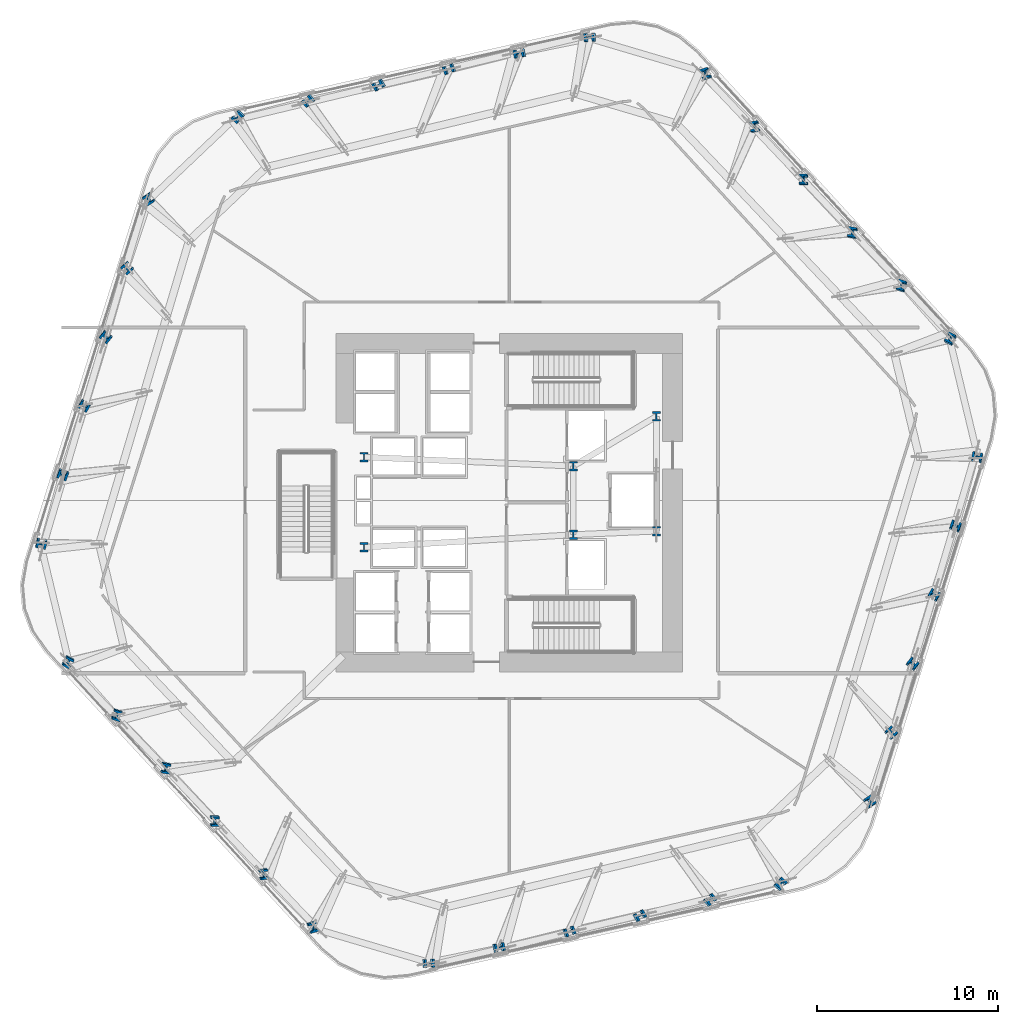
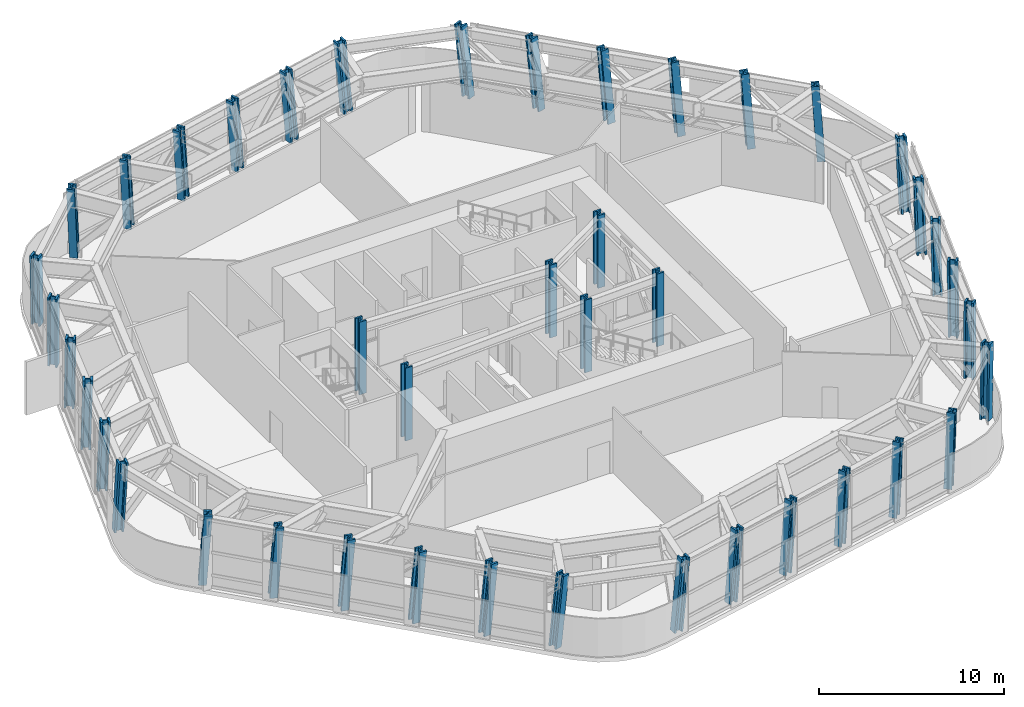
# One storey, part 1 of 16: 42 columns.
"""IFC4 building model written with IfcOpenShell, lengths in metres."""

import ifcopenshell
import ifcopenshell.guid

model = None  # the IFC model being written
_history = None  # IfcOwnerHistory: only IFC2X3 demands one
_inside = {}  # id of a spatial element -> (the spatial element, [elements in it])
_under = {}  # id of a project, library or spatial element -> (it, [spatial elements below it])
_declared = {}  # id of a project -> (the project, [libraries it declares])
_typed = {}  # id of a type object -> (the type object, [elements of that type])
_made_of = {}  # id of a material, layer set ... -> (it, [elements and type objects made of it])


def new_model(schema):
    """Start an empty IFC model of exactly this schema.

    Asked for "IFC4X3", IfcOpenShell would pick the latest addendum, in which some entities
    have other attributes; the version numbers below select the first issue.
    IFC2X3 requires an IfcOwnerHistory on every rooted entity: one is made here for all.
    """
    global model, _history
    if schema == "IFC4X3":
        model = ifcopenshell.file(schema_version=(4, 3, 0, 0))
    else:
        model = ifcopenshell.file(schema=schema)
    _inside.clear()
    _under.clear()
    _declared.clear()
    _typed.clear()
    _made_of.clear()
    _history = None
    if model.schema == "IFC2X3":
        org = make("IfcOrganization", Name="unknown")
        user = make(
            "IfcPersonAndOrganization",
            ThePerson=make("IfcPerson", FamilyName="unknown"),
            TheOrganization=org,
        )
        app = make(
            "IfcApplication",
            ApplicationDeveloper=org,
            Version="unknown",
            ApplicationFullName="unknown",
            ApplicationIdentifier="unknown",
        )
        _history = make(
            "IfcOwnerHistory",
            OwningUser=user,
            OwningApplication=app,
            ChangeAction="ADDED",
            CreationDate=0,
        )
    return model


def make(cls, **values):
    """One entity of the class cls with the attributes given. An attribute that is None is left unset."""
    return model.create_entity(
        cls, **{name: value for name, value in values.items() if value is not None}
    )


def rooted(cls, **values):
    """An entity with a GlobalId (a new one), such as an element, a storey or a relation."""
    return make(cls, GlobalId=ifcopenshell.guid.new(), OwnerHistory=_history, **values)


def si_unit(unit_type, name, prefix=None):
    """IfcSIUnit, for example si_unit("LENGTHUNIT", "METRE", prefix="MILLI")."""
    return make("IfcSIUnit", UnitType=unit_type, Prefix=prefix, Name=name)


def assignment(units):
    """IfcUnitAssignment: the units of a project."""
    return None if units is None else make("IfcUnitAssignment", Units=units)


def point(xyz):
    """IfcCartesianPoint."""
    return None if xyz is None else make("IfcCartesianPoint", Coordinates=xyz)


def direction(xyz):
    """IfcDirection."""
    return None if xyz is None else make("IfcDirection", DirectionRatios=xyz)


def frame(location, z_axis=None, x_axis=None):
    """IfcAxis2Placement3D, a coordinate frame: its origin and axes. An axis left out is left unset."""
    return make(
        "IfcAxis2Placement3D",
        Location=point(location),
        Axis=direction(z_axis),
        RefDirection=direction(x_axis),
    )


def frame_2d(location, x_axis=None):
    """IfcAxis2Placement2D, a coordinate frame in the plane: its origin and x axis."""
    return make(
        "IfcAxis2Placement2D", Location=point(location), RefDirection=direction(x_axis)
    )


def origin():
    """The frame at (0, 0, 0) with its axes left unset."""
    return frame((0.0, 0.0, 0.0))


def origin_2d():
    """The frame at (0, 0) in the plane with its x axis left unset."""
    return frame_2d((0.0, 0.0))


def place(relative_to, where):
    """IfcLocalPlacement: puts the frame where relative to a parent placement (None: the world)."""
    return make(
        "IfcLocalPlacement", PlacementRelTo=relative_to, RelativePlacement=where
    )


def context(
    kind, dimensions, precision=None, world=None, true_north=None, identifier=None
):
    """IfcGeometricRepresentationContext, for example the 3D "Model" context."""
    return make(
        "IfcGeometricRepresentationContext",
        ContextIdentifier=identifier,
        ContextType=kind,
        CoordinateSpaceDimension=dimensions,
        Precision=precision,
        WorldCoordinateSystem=world,
        TrueNorth=true_north,
    )


def subcontext(parent, identifier, kind, view, scale=None):
    """IfcGeometricRepresentationSubContext, for example "Body" below "Model"."""
    return make(
        "IfcGeometricRepresentationSubContext",
        ContextIdentifier=identifier,
        ContextType=kind,
        ParentContext=parent,
        TargetScale=scale,
        TargetView=view,
    )


def project(units=None, contexts=None):
    """IfcProject with its units and contexts."""
    return rooted(
        "IfcProject",
        Name="project",
        RepresentationContexts=contexts,
        UnitsInContext=assignment(units),
    )


def spatial(cls, under=None, at=None, **own):
    """A site, building, storey or space (cls), placed at a placement, below another one or the project."""
    s = rooted(cls, ObjectPlacement=at, **own)
    if under is not None:
        _under.setdefault(under.id(), (under, []))[1].append(s)
    return s


def profile(cls, at=None, kind="AREA", **sizes):
    """A parametric profile (cls). Its sizes go by their IFC names, for example OverallWidth=200.0."""
    return make(cls, ProfileType=kind, Position=at, **sizes)


def i_section(**sizes):
    """IfcIShapeProfileDef."""
    return profile("IfcIShapeProfileDef", **sizes)


def extrude(swept, where, along, depth):
    """IfcExtrudedAreaSolid: the profile swept, set in the frame where, extruded along a direction by depth."""
    return make(
        "IfcExtrudedAreaSolid",
        SweptArea=swept,
        Position=where,
        ExtrudedDirection=direction(along),
        Depth=depth,
    )


def shape(context_of_items, identifier, shape_type, items):
    """IfcShapeRepresentation: the items that make up one representation, for example the "Body"."""
    return make(
        "IfcShapeRepresentation",
        ContextOfItems=context_of_items,
        RepresentationIdentifier=identifier,
        RepresentationType=shape_type,
        Items=items,
    )


def material(Name=None, Category=None):
    """IfcMaterial."""
    return make("IfcMaterial", Name=Name, Category=Category)


def material_profile(
    of_material, cross_section, Name=None, Category=None, Priority=None
):
    """IfcMaterialProfile: a cross section and its material."""
    return make(
        "IfcMaterialProfile",
        Name=Name,
        Material=of_material,
        Profile=cross_section,
        Priority=Priority,
        Category=Category,
    )


def profile_set(profiles, Name=None, composite=None):
    """IfcMaterialProfileSet."""
    return make(
        "IfcMaterialProfileSet",
        Name=Name,
        MaterialProfiles=profiles,
        CompositeProfile=composite,
    )


def made_of(thing, what):
    """Note that an element or type object is made of a material, layer set ...; save() writes the relation."""
    if what is not None:
        _made_of.setdefault(what.id(), (what, []))[1].append(thing)
    return thing


def type_object(cls, material=None, **own):
    """A type object (cls), such as IfcWallType, which elements share."""
    return made_of(rooted(cls, **own), material)


def element(
    cls,
    number,
    at=None,
    inside=None,
    cuts=None,
    type_object=None,
    material=None,
    context=None,
    identifier="Body",
    shape_type=None,
    held_by="IfcProductDefinitionShape",
    body=None,
    shapes=None,
    **own,
):
    """One element of the class cls, such as IfcWall. Its Tag is "e" and its number.

    at: its placement. inside: the storey or other place that contains it. cuts: it is an
    opening in that element (IfcRelVoidsElement). A single representation is given by context,
    identifier, shape_type and body (its items); several are given by shapes. held_by: the class
    of the entity that holds the representations. save() writes the other relations.
    """
    e = rooted(cls, Tag="e%d" % number, ObjectPlacement=at, **own)
    if body is not None:
        shapes = [shape(context, identifier, shape_type, body)]
    if shapes is not None:
        e.Representation = make(held_by, Representations=shapes)
    if inside is not None:
        _inside.setdefault(inside.id(), (inside, []))[1].append(e)
    if cuts is not None:
        rooted(
            "IfcRelVoidsElement", RelatingBuildingElement=cuts, RelatedOpeningElement=e
        )
    if type_object is not None:
        _typed.setdefault(type_object.id(), (type_object, []))[1].append(e)
    return made_of(e, material)


def aggregate(whole, parts):
    """IfcRelAggregates: a whole, such as a stair, and the parts it consists of."""
    return rooted("IfcRelAggregates", RelatingObject=whole, RelatedObjects=parts)


def save(model, path):
    """Write the relations noted so far, then the file.

    IfcRelAggregates (storeys below a building ...), IfcRelContainedInSpatialStructure (elements
    in a storey), IfcRelDefinesByType, IfcRelAssociatesMaterial and IfcRelDeclares: one each for
    every whole, place, type object, material and project.
    """
    for whole, parts in _under.values():
        aggregate(whole, parts)
    for where, things in _inside.values():
        rooted(
            "IfcRelContainedInSpatialStructure",
            RelatedElements=things,
            RelatingStructure=where,
        )
    for kind, things in _typed.values():
        rooted("IfcRelDefinesByType", RelatedObjects=things, RelatingType=kind)
    for what, things in _made_of.values():
        rooted("IfcRelAssociatesMaterial", RelatedObjects=things, RelatingMaterial=what)
    for by, libraries in _declared.values():
        rooted("IfcRelDeclares", RelatingContext=by, RelatedDefinitions=libraries)
    model.write(path)


model = new_model("IFC4")

# Units and contexts
model_context = context("Model", 3, precision=1e-05, world=origin(), true_north=direction((0.0, 1.0)))
body_context = subcontext(model_context, "Body", "Model", "MODEL_VIEW")
ifc_project = project(units=[si_unit("LENGTHUNIT", "METRE"), si_unit("AREAUNIT", "SQUARE_METRE"), si_unit("VOLUMEUNIT", "CUBIC_METRE"), si_unit("PLANEANGLEUNIT", "RADIAN"), si_unit("MASSUNIT", "GRAM", prefix="KILO")], contexts=[model_context])

# Site, building, storey
site_placement = place(None, origin())
site = spatial("IfcSite", under=ifc_project, at=site_placement, CompositionType="ELEMENT")
building_placement = place(site_placement, origin())
building = spatial("IfcBuilding", under=site, at=building_placement, Name="Valkerne Bourse Tower", CompositionType="ELEMENT")
storey_placement = place(building_placement, frame((0.0, 0.0, 77.199951171875)))
storey = spatial("IfcBuildingStorey", under=building, at=storey_placement, Name="L19", CompositionType="ELEMENT", Elevation=77.199951171875)

# Columns
ifc_material = material(Name="Steel ASTM A913 Grade 65", Category="steel")
ifc_material_profile_1 = material_profile(ifc_material, i_section(OverallWidth=0.44189453125, OverallDepth=0.531005859375, WebThickness=0.06591796875, FlangeThickness=0.105712890625, FilletRadius=0.030517578125, at=origin_2d()), Name="W14X605")
ifc_profile_set_1 = profile_set([ifc_material_profile_1], Name="Steel ASTM A913 Grade 65")
column_type_1 = type_object("IfcColumnType", Name="COL-W14X605", PredefinedType="COLUMN", material=ifc_profile_set_1)
for number, where, z_axis, x_axis, name in (
    (1, (38.75, 24.39990234375, 0.005126953125), (0.0, 0.0, 1.0), (1.0, 0.0, 0.0), "L19 Core Frame Column CC-SW"),
    (2, (38.75, 29.39990234375, 0.005126953125), (0.0, 0.0, 1.0), (1.0, 0.0, 0.0), "L19 Core Frame Column CC-NW"),
    (3, (50.35009765625, 25.10009765625, 0.005126953125), (0.0, 0.0, 1.0), (1.0, 0.0, 0.0), "L19 Core Frame Column CC-CE1"),
    (4, (50.35009765625, 28.89990234375, 0.005126953125), (0.0, 0.0, 1.0), (1.0, 0.0, 0.0), "L19 Core Frame Column CC-CE2"),
    (5, (54.949951171875, 25.300048828125, 0.005126953125), (0.0, 0.0, 1.0), (1.0, 0.0, 0.0), "L19 Core Frame Column CC-SE"),
    (6, (54.949951171875, 31.64990234375, 0.005126953125), (0.0, 0.0, 1.0), (1.0, 0.0, 0.0), "L19 Core Frame Column CC-NE"),
):
    element("IfcColumn", number, at=place(storey_placement, frame(where, z_axis=z_axis, x_axis=x_axis)), inside=storey, type_object=column_type_1, Name=name, PredefinedType="COLUMN", context=body_context, shape_type="SweptSolid", body=[
        extrude(i_section(OverallWidth=0.44189453125, OverallDepth=0.531005859375, WebThickness=0.06591796875, FlangeThickness=0.105712890625, FilletRadius=0.030517578125, at=origin_2d()), origin(), (0.0, 0.0, 1.0), 4.794921875),
    ])
ifc_material_profile_2 = material_profile(ifc_material, i_section(OverallWidth=0.44970703125, OverallDepth=0.548583984375, WebThickness=0.072021484375, FlangeThickness=0.11474609375, FilletRadius=0.030517578125, at=origin_2d()), Name="W14X665")
ifc_profile_set_2 = profile_set([ifc_material_profile_2], Name="Steel ASTM A913 Grade 65")
column_type_2 = type_object("IfcColumnType", Name="COL-W14X665", PredefinedType="COLUMN", material=ifc_profile_set_2)
column_1_placement = place(storey_placement, frame((71.251953125, 35.9130859375, 0.010009765625), z_axis=(-0.029815067589, 0.079829080286, 0.99636257441), x_axis=(0.890702515279, -0.450238160037, 0.062726617324)))
element("IfcColumn", 7, at=column_1_placement, inside=storey, type_object=column_type_2, Name="L19 Helical Perimeter Tube Column F1-C1", PredefinedType="COLUMN", context=body_context, shape_type="SweptSolid", body=[
    extrude(i_section(OverallWidth=0.44970703125, OverallDepth=0.548583984375, WebThickness=0.072021484375, FlangeThickness=0.11474609375, FilletRadius=0.030517578125, at=origin_2d()), origin(), (0.0, 0.0, 1.0), 4.79833984375),
])
column_2_placement = place(storey_placement, frame((68.547119140625, 38.854736328125, 0.010009765625), z_axis=(-0.039343040081, 0.070898906639, 0.996707314227), x_axis=(0.947846735926, -0.31308821293, 0.059685309068)))
element("IfcColumn", 8, at=column_2_placement, inside=storey, type_object=column_type_2, Name="L19 Helical Perimeter Tube Column F1-C2", PredefinedType="COLUMN", context=body_context, shape_type="SweptSolid", body=[
    extrude(i_section(OverallWidth=0.44970703125, OverallDepth=0.548583984375, WebThickness=0.072021484375, FlangeThickness=0.11474609375, FilletRadius=0.030517578125, at=origin_2d()), origin(), (0.0, 0.0, 1.0), 4.796875),
])
for number, where, z_axis, x_axis, name in (
    (9, (65.84228515625, 41.796142578125, 0.010009765625), (-0.048919890112, 0.062002524617, 0.996876387168), (0.985916015736, -0.156811691518, 0.058135215819), "L19 Helical Perimeter Tube Column F1-C3"),
    (10, (63.1376953125, 44.737548828125, 0.010009765625), (-0.058540879058, 0.053043126937, 0.996874812684), (0.998268309725, 0.008886932972, 0.058149842824), "L19 Helical Perimeter Tube Column F1-C4"),
):
    element("IfcColumn", number, at=place(storey_placement, frame(where, z_axis=z_axis, x_axis=x_axis)), inside=storey, type_object=column_type_2, Name=name, PredefinedType="COLUMN", context=body_context, shape_type="SweptSolid", body=[
        extrude(i_section(OverallWidth=0.44970703125, OverallDepth=0.548583984375, WebThickness=0.072021484375, FlangeThickness=0.11474609375, FilletRadius=0.030517578125, at=origin_2d()), origin(), (0.0, 0.0, 1.0), 4.7958984375),
    ])
column_3_placement = place(storey_placement, frame((60.432861328125, 47.678955078125, 0.010009765625), z_axis=(-0.06809924705, 0.044127090577, 0.9967022085), x_axis=(0.983791023558, 0.169078003056, 0.059731489602)))
element("IfcColumn", 11, at=column_3_placement, inside=storey, type_object=column_type_2, Name="L19 Helical Perimeter Tube Column F1-C5", PredefinedType="COLUMN", context=body_context, shape_type="SweptSolid", body=[
    extrude(i_section(OverallWidth=0.44970703125, OverallDepth=0.548583984375, WebThickness=0.072021484375, FlangeThickness=0.11474609375, FilletRadius=0.030517578125, at=origin_2d()), origin(), (0.0, 0.0, 1.0), 4.796875),
])
for number, where, z_axis, x_axis, name in (
    (12, (57.72802734375, 50.620361328125, 0.010009765625), (-0.077590473355, 0.035208267254, 0.996363435881), (0.947573355098, 0.31332257874, 0.062719202473), "L19 Helical Perimeter Tube Column F1-C6"),
    (13, (51.306884765625, 52.6328125, 0.010009765625), (-0.08400150034, 0.01404264936, 0.996366675446), (-0.053463370297, 0.998396966152, -0.01857864408), "L19 Helical Perimeter Tube Column F2-C1"),
):
    element("IfcColumn", number, at=place(storey_placement, frame(where, z_axis=z_axis, x_axis=x_axis)), inside=storey, type_object=column_type_2, Name=name, PredefinedType="COLUMN", context=body_context, shape_type="SweptSolid", body=[
        extrude(i_section(OverallWidth=0.44970703125, OverallDepth=0.548583984375, WebThickness=0.072021484375, FlangeThickness=0.11474609375, FilletRadius=0.030517578125, at=origin_2d()), origin(), (0.0, 0.0, 1.0), 4.79833984375),
    ])
column_4_placement = place(storey_placement, frame((47.4072265625, 51.760986328125, 0.010009765625), z_axis=(-0.081078176427, 0.00137420638, 0.996706797842), x_axis=(-0.200855041415, 0.979461252253, -0.017689196486)))
element("IfcColumn", 14, at=column_4_placement, inside=storey, type_object=column_type_2, Name="L19 Helical Perimeter Tube Column F2-C2", PredefinedType="COLUMN", context=body_context, shape_type="SweptSolid", body=[
    extrude(i_section(OverallWidth=0.44970703125, OverallDepth=0.548583984375, WebThickness=0.072021484375, FlangeThickness=0.11474609375, FilletRadius=0.030517578125, at=origin_2d()), origin(), (0.0, 0.0, 1.0), 4.796875),
])
for number, where, z_axis, x_axis, name in (
    (15, (43.50732421875, 50.889404296875, 0.010009765625), (-0.078139535879, -0.011402772663, 0.996877218973), (-0.356104278779, 0.934287430298, -0.017226149392), "L19 Helical Perimeter Tube Column F2-C3"),
    (16, (39.607666015625, 50.017578125, 0.010009765625), (-0.075187051337, -0.024129087565, 0.996877472132), (-0.505272511168, 0.862787907457, -0.017225452222), "L19 Helical Perimeter Tube Column F2-C4"),
):
    element("IfcColumn", number, at=place(storey_placement, frame(where, z_axis=z_axis, x_axis=x_axis)), inside=storey, type_object=column_type_2, Name=name, PredefinedType="COLUMN", context=body_context, shape_type="SweptSolid", body=[
        extrude(i_section(OverallWidth=0.44970703125, OverallDepth=0.548583984375, WebThickness=0.072021484375, FlangeThickness=0.11474609375, FilletRadius=0.030517578125, at=origin_2d()), origin(), (0.0, 0.0, 1.0), 4.7958984375),
    ])
column_5_placement = place(storey_placement, frame((35.7080078125, 49.14599609375, 0.010009765625), z_axis=(-0.072272734894, -0.036899811829, 0.996702089733), x_axis=(-0.637417678223, 0.770315097352, -0.017701815733)))
element("IfcColumn", 17, at=column_5_placement, inside=storey, type_object=column_type_2, Name="L19 Helical Perimeter Tube Column F2-C5", PredefinedType="COLUMN", context=body_context, shape_type="SweptSolid", body=[
    extrude(i_section(OverallWidth=0.44970703125, OverallDepth=0.548583984375, WebThickness=0.072021484375, FlangeThickness=0.11474609375, FilletRadius=0.030517578125, at=origin_2d()), origin(), (0.0, 0.0, 1.0), 4.796875),
])
column_6_placement = place(storey_placement, frame((31.80810546875, 48.274169921875, 0.010009765625), z_axis=(-0.069246455829, -0.049607123022, 0.996365425785), x_axis=(-0.745032036115, 0.666769810838, -0.018581832997)))
element("IfcColumn", 18, at=column_6_placement, inside=storey, type_object=column_type_2, Name="L19 Helical Perimeter Tube Column F2-C6", PredefinedType="COLUMN", context=body_context, shape_type="SweptSolid", body=[
    extrude(i_section(OverallWidth=0.44970703125, OverallDepth=0.548583984375, WebThickness=0.072021484375, FlangeThickness=0.11474609375, FilletRadius=0.030517578125, at=origin_2d()), origin(), (0.0, 0.0, 1.0), 4.79833984375),
])
column_7_placement = place(storey_placement, frame((26.85498046875, 43.719482421875, 0.010009765625), z_axis=(-0.054236933453, -0.065735570377, 0.996361977314), x_axis=(-0.835750131972, -0.543054680871, -0.08132238617)))
element("IfcColumn", 19, at=column_7_placement, inside=storey, type_object=column_type_2, Name="L19 Helical Perimeter Tube Column F3-C1", PredefinedType="COLUMN", context=body_context, shape_type="SweptSolid", body=[
    extrude(i_section(OverallWidth=0.44970703125, OverallDepth=0.548583984375, WebThickness=0.072021484375, FlangeThickness=0.11474609375, FilletRadius=0.030517578125, at=origin_2d()), origin(), (0.0, 0.0, 1.0), 4.798583984375),
])
column_8_placement = place(storey_placement, frame((25.659912109375, 39.90625, 0.010009765625), z_axis=(-0.041735157919, -0.069524665508, 0.996706826243), x_axis=(-0.745903608251, -0.661543892414, -0.077378844702)))
element("IfcColumn", 20, at=column_8_placement, inside=storey, type_object=column_type_2, Name="L19 Helical Perimeter Tube Column F3-C2", PredefinedType="COLUMN", context=body_context, shape_type="SweptSolid", body=[
    extrude(i_section(OverallWidth=0.44970703125, OverallDepth=0.548583984375, WebThickness=0.072021484375, FlangeThickness=0.11474609375, FilletRadius=0.030517578125, at=origin_2d()), origin(), (0.0, 0.0, 1.0), 4.796875),
])
for number, where, z_axis, x_axis, name in (
    (21, (24.465087890625, 36.09326171875, 0.010009765625), (-0.02921951261, -0.073405117045, 0.996874068714), (-0.62964626618, -0.773215163992, -0.075391575513), "L19 Helical Perimeter Tube Column F3-C3"),
    (22, (23.27001953125, 32.280029296875, 0.010009765625), (-0.016696929249, -0.077172392507, 0.996877943576), (-0.493437444762, -0.866511761666, -0.075344906938), "L19 Helical Perimeter Tube Column F3-C4"),
):
    element("IfcColumn", number, at=place(storey_placement, frame(where, z_axis=z_axis, x_axis=x_axis)), inside=storey, type_object=column_type_2, Name=name, PredefinedType="COLUMN", context=body_context, shape_type="SweptSolid", body=[
        extrude(i_section(OverallWidth=0.44970703125, OverallDepth=0.548583984375, WebThickness=0.072021484375, FlangeThickness=0.11474609375, FilletRadius=0.030517578125, at=origin_2d()), origin(), (0.0, 0.0, 1.0), 4.7958984375),
    ])
column_9_placement = place(storey_placement, frame((22.0751953125, 28.466796875, 0.010009765625), z_axis=(-0.004173517689, -0.080976422483, 0.996707279371), x_axis=(-0.347598945783, -0.934445455754, -0.077373529779)))
element("IfcColumn", 23, at=column_9_placement, inside=storey, type_object=column_type_2, Name="L19 Helical Perimeter Tube Column F3-C5", PredefinedType="COLUMN", context=body_context, shape_type="SweptSolid", body=[
    extrude(i_section(OverallWidth=0.44970703125, OverallDepth=0.548583984375, WebThickness=0.072021484375, FlangeThickness=0.11474609375, FilletRadius=0.030517578125, at=origin_2d()), origin(), (0.0, 0.0, 1.0), 4.796875),
])
column_10_placement = place(storey_placement, frame((20.880126953125, 24.65380859375, 0.010009765625), z_axis=(0.008344141826, -0.084815148928, 0.996361764526), x_axis=(-0.204516529054, -0.975478996567, -0.081324760073)))
element("IfcColumn", 24, at=column_10_placement, inside=storey, type_object=column_type_2, Name="L19 Helical Perimeter Tube Column F3-C6", PredefinedType="COLUMN", context=body_context, shape_type="SweptSolid", body=[
    extrude(i_section(OverallWidth=0.44970703125, OverallDepth=0.548583984375, WebThickness=0.072021484375, FlangeThickness=0.11474609375, FilletRadius=0.030517578125, at=origin_2d()), origin(), (0.0, 0.0, 1.0), 4.798583984375),
])
column_11_placement = place(storey_placement, frame((22.347900390625, 18.0869140625, 0.010009765625), z_axis=(0.029815067589, -0.079829080286, 0.99636257441), x_axis=(0.890702515279, -0.450238160037, -0.062726617324)))
element("IfcColumn", 25, at=column_11_placement, inside=storey, type_object=column_type_2, Name="L19 Helical Perimeter Tube Column F4-C1", PredefinedType="COLUMN", context=body_context, shape_type="SweptSolid", body=[
    extrude(i_section(OverallWidth=0.44970703125, OverallDepth=0.548583984375, WebThickness=0.072021484375, FlangeThickness=0.11474609375, FilletRadius=0.030517578125, at=origin_2d()), origin(), (0.0, 0.0, 1.0), 4.79833984375),
])
column_12_placement = place(storey_placement, frame((25.052734375, 15.145263671875, 0.010009765625), z_axis=(0.039393857705, -0.070898764578, 0.996705317111), x_axis=(0.948017669149, -0.312566802076, -0.05970337697)))
element("IfcColumn", 26, at=column_12_placement, inside=storey, type_object=column_type_2, Name="L19 Helical Perimeter Tube Column F4-C2", PredefinedType="COLUMN", context=body_context, shape_type="SweptSolid", body=[
    extrude(i_section(OverallWidth=0.44970703125, OverallDepth=0.548583984375, WebThickness=0.072021484375, FlangeThickness=0.11474609375, FilletRadius=0.030517578125, at=origin_2d()), origin(), (0.0, 0.0, 1.0), 4.796875),
])
for number, where, z_axis, x_axis, name in (
    (27, (27.757568359375, 12.203857421875, 0.010009765625), (0.048919890112, -0.062002524617, 0.996876387168), (0.985916015736, -0.156811691518, -0.058135215819), "L19 Helical Perimeter Tube Column F4-C3"),
    (28, (30.46240234375, 9.262451171875, 0.010009765625), (0.058490148172, -0.05304328494, 0.996877782123), (0.998273682342, 0.008453329913, -0.058122253549), "L19 Helical Perimeter Tube Column F4-C4"),
):
    element("IfcColumn", number, at=place(storey_placement, frame(where, z_axis=z_axis, x_axis=x_axis)), inside=storey, type_object=column_type_2, Name=name, PredefinedType="COLUMN", context=body_context, shape_type="SweptSolid", body=[
        extrude(i_section(OverallWidth=0.44970703125, OverallDepth=0.548583984375, WebThickness=0.072021484375, FlangeThickness=0.11474609375, FilletRadius=0.030517578125, at=origin_2d()), origin(), (0.0, 0.0, 1.0), 4.7958984375),
    ])
column_13_placement = place(storey_placement, frame((33.167236328125, 6.321044921875, 0.010009765625), z_axis=(0.06804858652, -0.044127243465, 0.996705661796), x_axis=(0.983850798383, 0.168740883002, -0.059700258994)))
element("IfcColumn", 29, at=column_13_placement, inside=storey, type_object=column_type_2, Name="L19 Helical Perimeter Tube Column F4-C5", PredefinedType="COLUMN", context=body_context, shape_type="SweptSolid", body=[
    extrude(i_section(OverallWidth=0.44970703125, OverallDepth=0.548583984375, WebThickness=0.072021484375, FlangeThickness=0.11474609375, FilletRadius=0.030517578125, at=origin_2d()), origin(), (0.0, 0.0, 1.0), 4.796875),
])
for number, where, z_axis, x_axis, name in (
    (30, (35.8720703125, 3.379638671875, 0.010009765625), (0.077590473355, -0.035208267254, 0.996363435881), (0.947573355098, 0.31332257874, -0.062719202473), "L19 Helical Perimeter Tube Column F4-C6"),
    (31, (42.293212890625, 1.3671875, 0.010009765625), (0.08400150034, -0.01404264936, 0.996366675446), (-0.053463370297, 0.998396966152, 0.01857864408), "L19 Helical Perimeter Tube Column F5-C1"),
):
    element("IfcColumn", number, at=place(storey_placement, frame(where, z_axis=z_axis, x_axis=x_axis)), inside=storey, type_object=column_type_2, Name=name, PredefinedType="COLUMN", context=body_context, shape_type="SweptSolid", body=[
        extrude(i_section(OverallWidth=0.44970703125, OverallDepth=0.548583984375, WebThickness=0.072021484375, FlangeThickness=0.11474609375, FilletRadius=0.030517578125, at=origin_2d()), origin(), (0.0, 0.0, 1.0), 4.79833984375),
    ])
column_14_placement = place(storey_placement, frame((46.19287109375, 2.239013671875, 0.010009765625), z_axis=(0.081078176427, -0.00137420638, 0.996706797842), x_axis=(-0.200855041415, 0.979461252253, 0.017689196486)))
element("IfcColumn", 32, at=column_14_placement, inside=storey, type_object=column_type_2, Name="L19 Helical Perimeter Tube Column F5-C2", PredefinedType="COLUMN", context=body_context, shape_type="SweptSolid", body=[
    extrude(i_section(OverallWidth=0.44970703125, OverallDepth=0.548583984375, WebThickness=0.072021484375, FlangeThickness=0.11474609375, FilletRadius=0.030517578125, at=origin_2d()), origin(), (0.0, 0.0, 1.0), 4.796875),
])
for number, where, z_axis, x_axis, name in (
    (33, (50.092529296875, 3.110595703125, 0.010009765625), (0.078139535879, 0.011402772663, 0.996877218973), (-0.356104278779, 0.934287430298, 0.017226149392), "L19 Helical Perimeter Tube Column F5-C3"),
    (34, (53.9921875, 3.982421875, 0.010009765625), (0.075237668523, 0.024128995182, 0.996873655398), (-0.505101851631, 0.86288761792, 0.017235960058), "L19 Helical Perimeter Tube Column F5-C4"),
):
    element("IfcColumn", number, at=place(storey_placement, frame(where, z_axis=z_axis, x_axis=x_axis)), inside=storey, type_object=column_type_2, Name=name, PredefinedType="COLUMN", context=body_context, shape_type="SweptSolid", body=[
        extrude(i_section(OverallWidth=0.44970703125, OverallDepth=0.548583984375, WebThickness=0.072021484375, FlangeThickness=0.11474609375, FilletRadius=0.030517578125, at=origin_2d()), origin(), (0.0, 0.0, 1.0), 4.7958984375),
    ])
column_15_placement = place(storey_placement, frame((57.89208984375, 4.85400390625, 0.010009765625), z_axis=(0.072222104171, 0.036899947515, 0.996705754745), x_axis=(-0.63763818526, 0.770132805482, 0.017691993102)))
element("IfcColumn", 35, at=column_15_placement, inside=storey, type_object=column_type_2, Name="L19 Helical Perimeter Tube Column F5-C5", PredefinedType="COLUMN", context=body_context, shape_type="SweptSolid", body=[
    extrude(i_section(OverallWidth=0.44970703125, OverallDepth=0.548583984375, WebThickness=0.072021484375, FlangeThickness=0.11474609375, FilletRadius=0.030517578125, at=origin_2d()), origin(), (0.0, 0.0, 1.0), 4.796875),
])
for number, where, z_axis, x_axis, name in (
    (36, (61.7919921875, 5.725830078125, 0.010009765625), (0.069246455829, 0.049607123022, 0.996365425785), (-0.745032036115, 0.666769810838, 0.018581832997), "L19 Helical Perimeter Tube Column F5-C6"),
    (37, (66.7451171875, 10.280517578125, 0.010009765625), (0.054186203987, 0.065735751691, 0.996364725513), (-0.835501537299, -0.543441659573, 0.081291720441), "L19 Helical Perimeter Tube Column F6-C1"),
):
    element("IfcColumn", number, at=place(storey_placement, frame(where, z_axis=z_axis, x_axis=x_axis)), inside=storey, type_object=column_type_2, Name=name, PredefinedType="COLUMN", context=body_context, shape_type="SweptSolid", body=[
        extrude(i_section(OverallWidth=0.44970703125, OverallDepth=0.548583984375, WebThickness=0.072021484375, FlangeThickness=0.11474609375, FilletRadius=0.030517578125, at=origin_2d()), origin(), (0.0, 0.0, 1.0), 4.79833984375),
    ])
column_16_placement = place(storey_placement, frame((67.93994140625, 14.09375, 0.010009765625), z_axis=(0.041735157919, 0.069524665508, 0.996706826243), x_axis=(-0.745903608251, -0.661543892414, 0.077378844702)))
element("IfcColumn", 38, at=column_16_placement, inside=storey, type_object=column_type_2, Name="L19 Helical Perimeter Tube Column F6-C2", PredefinedType="COLUMN", context=body_context, shape_type="SweptSolid", body=[
    extrude(i_section(OverallWidth=0.44970703125, OverallDepth=0.548583984375, WebThickness=0.072021484375, FlangeThickness=0.11474609375, FilletRadius=0.030517578125, at=origin_2d()), origin(), (0.0, 0.0, 1.0), 4.796875),
])
for number, where, z_axis, x_axis, name in (
    (39, (69.135009765625, 17.90673828125, 0.010009765625), (0.02921951261, 0.073405117045, 0.996874068714), (-0.62964626618, -0.773215163992, 0.075391575513), "L19 Helical Perimeter Tube Column F6-C3"),
    (40, (70.330078125, 21.719970703125, 0.010009765625), (0.016646038104, 0.077172458001, 0.996878789594), (-0.492891424696, -0.866823352463, 0.075334713691), "L19 Helical Perimeter Tube Column F6-C4"),
):
    element("IfcColumn", number, at=place(storey_placement, frame(where, z_axis=z_axis, x_axis=x_axis)), inside=storey, type_object=column_type_2, Name=name, PredefinedType="COLUMN", context=body_context, shape_type="SweptSolid", body=[
        extrude(i_section(OverallWidth=0.44970703125, OverallDepth=0.548583984375, WebThickness=0.072021484375, FlangeThickness=0.11474609375, FilletRadius=0.030517578125, at=origin_2d()), origin(), (0.0, 0.0, 1.0), 4.7958984375),
    ])
column_17_placement = place(storey_placement, frame((71.52490234375, 25.533203125, 0.010009765625), z_axis=(0.004173517689, 0.080976422483, 0.996707279371), x_axis=(-0.347598945783, -0.934445455754, 0.077373529779)))
element("IfcColumn", 41, at=column_17_placement, inside=storey, type_object=column_type_2, Name="L19 Helical Perimeter Tube Column F6-C5", PredefinedType="COLUMN", context=body_context, shape_type="SweptSolid", body=[
    extrude(i_section(OverallWidth=0.44970703125, OverallDepth=0.548583984375, WebThickness=0.072021484375, FlangeThickness=0.11474609375, FilletRadius=0.030517578125, at=origin_2d()), origin(), (0.0, 0.0, 1.0), 4.796875),
])
column_18_placement = place(storey_placement, frame((72.719970703125, 29.34619140625, 0.010009765625), z_axis=(-0.008344141826, 0.084815148928, 0.996361764526), x_axis=(-0.204516529054, -0.975478996567, 0.081324760073)))
element("IfcColumn", 42, at=column_18_placement, inside=storey, type_object=column_type_2, Name="L19 Helical Perimeter Tube Column F6-C6", PredefinedType="COLUMN", context=body_context, shape_type="SweptSolid", body=[
    extrude(i_section(OverallWidth=0.44970703125, OverallDepth=0.548583984375, WebThickness=0.072021484375, FlangeThickness=0.11474609375, FilletRadius=0.030517578125, at=origin_2d()), origin(), (0.0, 0.0, 1.0), 4.798583984375),
])

save(model, "model.ifc")
